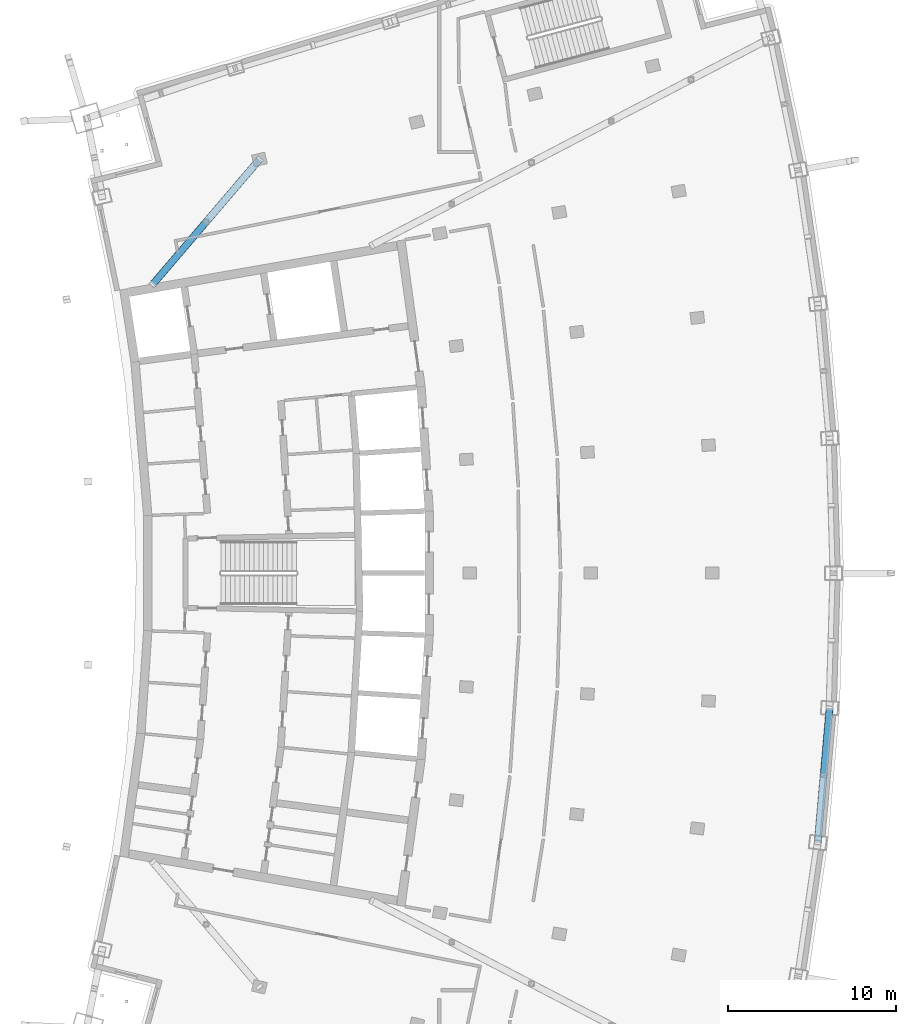
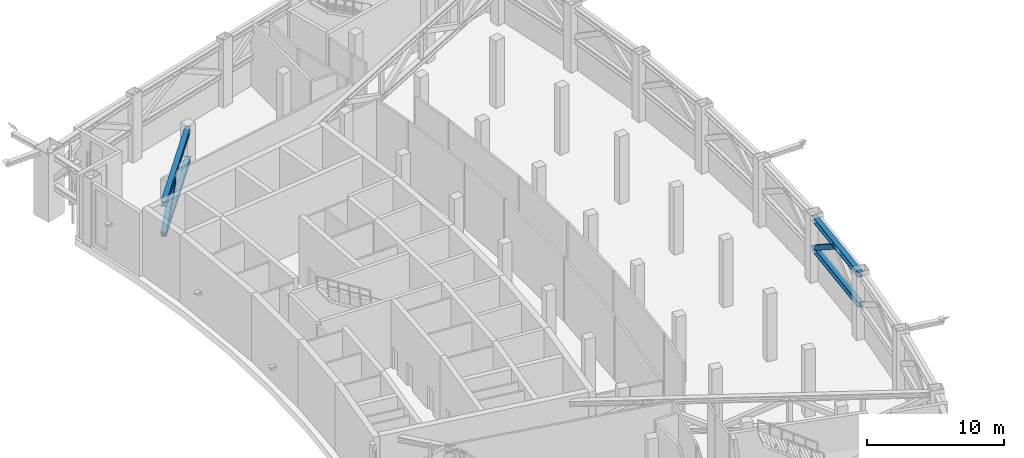
# One storey, part 9 of 23: 6 members.
"""IFC4 building model written with IfcOpenShell, lengths in metres."""

import ifcopenshell
import ifcopenshell.guid

model = None  # the IFC model being written
_history = None  # IfcOwnerHistory: only IFC2X3 demands one
_inside = {}  # id of a spatial element -> (the spatial element, [elements in it])
_under = {}  # id of a project, library or spatial element -> (it, [spatial elements below it])
_declared = {}  # id of a project -> (the project, [libraries it declares])
_typed = {}  # id of a type object -> (the type object, [elements of that type])
_made_of = {}  # id of a material, layer set ... -> (it, [elements and type objects made of it])


def new_model(schema):
    """Start an empty IFC model of exactly this schema.

    Asked for "IFC4X3", IfcOpenShell would pick the latest addendum, in which some entities
    have other attributes; the version numbers below select the first issue.
    IFC2X3 requires an IfcOwnerHistory on every rooted entity: one is made here for all.
    """
    global model, _history
    if schema == "IFC4X3":
        model = ifcopenshell.file(schema_version=(4, 3, 0, 0))
    else:
        model = ifcopenshell.file(schema=schema)
    _inside.clear()
    _under.clear()
    _declared.clear()
    _typed.clear()
    _made_of.clear()
    _history = None
    if model.schema == "IFC2X3":
        org = make("IfcOrganization", Name="unknown")
        user = make(
            "IfcPersonAndOrganization",
            ThePerson=make("IfcPerson", FamilyName="unknown"),
            TheOrganization=org,
        )
        app = make(
            "IfcApplication",
            ApplicationDeveloper=org,
            Version="unknown",
            ApplicationFullName="unknown",
            ApplicationIdentifier="unknown",
        )
        _history = make(
            "IfcOwnerHistory",
            OwningUser=user,
            OwningApplication=app,
            ChangeAction="ADDED",
            CreationDate=0,
        )
    return model


def make(cls, **values):
    """One entity of the class cls with the attributes given. An attribute that is None is left unset."""
    return model.create_entity(
        cls, **{name: value for name, value in values.items() if value is not None}
    )


def rooted(cls, **values):
    """An entity with a GlobalId (a new one), such as an element, a storey or a relation."""
    return make(cls, GlobalId=ifcopenshell.guid.new(), OwnerHistory=_history, **values)


def si_unit(unit_type, name, prefix=None):
    """IfcSIUnit, for example si_unit("LENGTHUNIT", "METRE", prefix="MILLI")."""
    return make("IfcSIUnit", UnitType=unit_type, Prefix=prefix, Name=name)


def assignment(units):
    """IfcUnitAssignment: the units of a project."""
    return None if units is None else make("IfcUnitAssignment", Units=units)


def point(xyz):
    """IfcCartesianPoint."""
    return None if xyz is None else make("IfcCartesianPoint", Coordinates=xyz)


def direction(xyz):
    """IfcDirection."""
    return None if xyz is None else make("IfcDirection", DirectionRatios=xyz)


def frame(location, z_axis=None, x_axis=None):
    """IfcAxis2Placement3D, a coordinate frame: its origin and axes. An axis left out is left unset."""
    return make(
        "IfcAxis2Placement3D",
        Location=point(location),
        Axis=direction(z_axis),
        RefDirection=direction(x_axis),
    )


def frame_2d(location, x_axis=None):
    """IfcAxis2Placement2D, a coordinate frame in the plane: its origin and x axis."""
    return make(
        "IfcAxis2Placement2D", Location=point(location), RefDirection=direction(x_axis)
    )


def origin():
    """The frame at (0, 0, 0) with its axes left unset."""
    return frame((0.0, 0.0, 0.0))


def origin_2d():
    """The frame at (0, 0) in the plane with its x axis left unset."""
    return frame_2d((0.0, 0.0))


def place(relative_to, where):
    """IfcLocalPlacement: puts the frame where relative to a parent placement (None: the world)."""
    return make(
        "IfcLocalPlacement", PlacementRelTo=relative_to, RelativePlacement=where
    )


def context(
    kind, dimensions, precision=None, world=None, true_north=None, identifier=None
):
    """IfcGeometricRepresentationContext, for example the 3D "Model" context."""
    return make(
        "IfcGeometricRepresentationContext",
        ContextIdentifier=identifier,
        ContextType=kind,
        CoordinateSpaceDimension=dimensions,
        Precision=precision,
        WorldCoordinateSystem=world,
        TrueNorth=true_north,
    )


def subcontext(parent, identifier, kind, view, scale=None):
    """IfcGeometricRepresentationSubContext, for example "Body" below "Model"."""
    return make(
        "IfcGeometricRepresentationSubContext",
        ContextIdentifier=identifier,
        ContextType=kind,
        ParentContext=parent,
        TargetScale=scale,
        TargetView=view,
    )


def project(units=None, contexts=None):
    """IfcProject with its units and contexts."""
    return rooted(
        "IfcProject",
        Name="project",
        RepresentationContexts=contexts,
        UnitsInContext=assignment(units),
    )


def spatial(cls, under=None, at=None, **own):
    """A site, building, storey or space (cls), placed at a placement, below another one or the project."""
    s = rooted(cls, ObjectPlacement=at, **own)
    if under is not None:
        _under.setdefault(under.id(), (under, []))[1].append(s)
    return s


def profile(cls, at=None, kind="AREA", **sizes):
    """A parametric profile (cls). Its sizes go by their IFC names, for example OverallWidth=200.0."""
    return make(cls, ProfileType=kind, Position=at, **sizes)


def hollow_rectangle(**sizes):
    """IfcRectangleHollowProfileDef."""
    return profile("IfcRectangleHollowProfileDef", **sizes)


def i_section(**sizes):
    """IfcIShapeProfileDef."""
    return profile("IfcIShapeProfileDef", **sizes)


def extrude(swept, where, along, depth):
    """IfcExtrudedAreaSolid: the profile swept, set in the frame where, extruded along a direction by depth."""
    return make(
        "IfcExtrudedAreaSolid",
        SweptArea=swept,
        Position=where,
        ExtrudedDirection=direction(along),
        Depth=depth,
    )


def shape(context_of_items, identifier, shape_type, items):
    """IfcShapeRepresentation: the items that make up one representation, for example the "Body"."""
    return make(
        "IfcShapeRepresentation",
        ContextOfItems=context_of_items,
        RepresentationIdentifier=identifier,
        RepresentationType=shape_type,
        Items=items,
    )


def material(Name=None, Category=None):
    """IfcMaterial."""
    return make("IfcMaterial", Name=Name, Category=Category)


def material_profile(
    of_material, cross_section, Name=None, Category=None, Priority=None
):
    """IfcMaterialProfile: a cross section and its material."""
    return make(
        "IfcMaterialProfile",
        Name=Name,
        Material=of_material,
        Profile=cross_section,
        Priority=Priority,
        Category=Category,
    )


def profile_set(profiles, Name=None, composite=None):
    """IfcMaterialProfileSet."""
    return make(
        "IfcMaterialProfileSet",
        Name=Name,
        MaterialProfiles=profiles,
        CompositeProfile=composite,
    )


def made_of(thing, what):
    """Note that an element or type object is made of a material, layer set ...; save() writes the relation."""
    if what is not None:
        _made_of.setdefault(what.id(), (what, []))[1].append(thing)
    return thing


def type_object(cls, material=None, **own):
    """A type object (cls), such as IfcWallType, which elements share."""
    return made_of(rooted(cls, **own), material)


def element(
    cls,
    number,
    at=None,
    inside=None,
    cuts=None,
    type_object=None,
    material=None,
    context=None,
    identifier="Body",
    shape_type=None,
    held_by="IfcProductDefinitionShape",
    body=None,
    shapes=None,
    **own,
):
    """One element of the class cls, such as IfcWall. Its Tag is "e" and its number.

    at: its placement. inside: the storey or other place that contains it. cuts: it is an
    opening in that element (IfcRelVoidsElement). A single representation is given by context,
    identifier, shape_type and body (its items); several are given by shapes. held_by: the class
    of the entity that holds the representations. save() writes the other relations.
    """
    e = rooted(cls, Tag="e%d" % number, ObjectPlacement=at, **own)
    if body is not None:
        shapes = [shape(context, identifier, shape_type, body)]
    if shapes is not None:
        e.Representation = make(held_by, Representations=shapes)
    if inside is not None:
        _inside.setdefault(inside.id(), (inside, []))[1].append(e)
    if cuts is not None:
        rooted(
            "IfcRelVoidsElement", RelatingBuildingElement=cuts, RelatedOpeningElement=e
        )
    if type_object is not None:
        _typed.setdefault(type_object.id(), (type_object, []))[1].append(e)
    return made_of(e, material)


def aggregate(whole, parts):
    """IfcRelAggregates: a whole, such as a stair, and the parts it consists of."""
    return rooted("IfcRelAggregates", RelatingObject=whole, RelatedObjects=parts)


def save(model, path):
    """Write the relations noted so far, then the file.

    IfcRelAggregates (storeys below a building ...), IfcRelContainedInSpatialStructure (elements
    in a storey), IfcRelDefinesByType, IfcRelAssociatesMaterial and IfcRelDeclares: one each for
    every whole, place, type object, material and project.
    """
    for whole, parts in _under.values():
        aggregate(whole, parts)
    for where, things in _inside.values():
        rooted(
            "IfcRelContainedInSpatialStructure",
            RelatedElements=things,
            RelatingStructure=where,
        )
    for kind, things in _typed.values():
        rooted("IfcRelDefinesByType", RelatedObjects=things, RelatingType=kind)
    for what, things in _made_of.values():
        rooted("IfcRelAssociatesMaterial", RelatedObjects=things, RelatingMaterial=what)
    for by, libraries in _declared.values():
        rooted("IfcRelDeclares", RelatingContext=by, RelatedDefinitions=libraries)
    model.write(path)


model = new_model("IFC4")

# Units and contexts
model_context = context("Model", 3, precision=1e-05, world=origin(), true_north=direction((0.0, 1.0)))
body_context = subcontext(model_context, "Body", "Model", "MODEL_VIEW")
ifc_project = project(units=[si_unit("LENGTHUNIT", "METRE"), si_unit("AREAUNIT", "SQUARE_METRE"), si_unit("VOLUMEUNIT", "CUBIC_METRE"), si_unit("PLANEANGLEUNIT", "RADIAN"), si_unit("MASSUNIT", "GRAM", prefix="KILO")], contexts=[model_context])

# Site, building, storey
site_placement = place(None, origin())
site = spatial("IfcSite", under=ifc_project, at=site_placement, CompositionType="ELEMENT")
building_placement = place(site_placement, origin())
building = spatial("IfcBuilding", under=site, at=building_placement, Name="Alderwake Tower", CompositionType="ELEMENT")
storey_placement = place(building_placement, frame((0.0, 0.0, 239.60009765625)))
storey = spatial("IfcBuildingStorey", under=building, at=storey_placement, Name="L59", CompositionType="ELEMENT", Elevation=239.60009765625)

# Members
ifc_material_1 = material(Name="Steel ASTM A992 Grade 50", Category="steel")
ifc_material_profile_1 = material_profile(ifc_material_1, i_section(OverallWidth=0.42138671875, OverallDepth=0.464599609375, WebThickness=0.044921875, FlangeThickness=0.072265625, at=origin_2d()), Name="W14X398")
ifc_profile_set_1 = profile_set([ifc_material_profile_1], Name="Steel ASTM A992 Grade 50")
member_type_1 = type_object("IfcMemberType", Name="Belt truss chord W14X398", PredefinedType="CHORD", material=ifc_profile_set_1)
for number, where, z_axis, x_axis, name in (
    (1, (56.466064453125, 45.00634765625, 5.447509765625), (0.087373670247, 0.996175607886, 0.0), (-0.996175607886, 0.087373670247, 0.0), "Belt truss chord BT59F05.T"),
    (2, (56.466064453125, 45.00634765625, 2.7822265625), (0.087373670247, 0.996175607886, 0.0), (-0.996175607886, 0.087373670247, 0.0), "Belt truss chord BT59F05.B"),
):
    element("IfcMember", number, at=place(storey_placement, frame(where, z_axis=z_axis, x_axis=x_axis)), inside=storey, type_object=member_type_1, Name=name, PredefinedType="CHORD", context=body_context, shape_type="SweptSolid", body=[
        extrude(i_section(OverallWidth=0.42138671875, OverallDepth=0.464599609375, WebThickness=0.044921875, FlangeThickness=0.072265625, at=origin_2d()), origin(), (0.0, 0.0, 1.0), 8.013916015625),
    ])
ifc_material_2 = material(Name="Steel ASTM A500 Grade C", Category="steel")
ifc_material_profile_2 = material_profile(ifc_material_2, hollow_rectangle(XDim=0.406494140625, YDim=0.406494140625, WallThickness=0.014892578125, at=origin_2d()), Name="HSS16X16X5/8")
ifc_profile_set_2 = profile_set([ifc_material_profile_2], Name="Steel ASTM A500 Grade C")
member_type_2 = type_object("IfcMemberType", Name="Belt truss diagonal HSS16X16X5/8", PredefinedType="BRACE", material=ifc_profile_set_2)
member_1_placement = place(storey_placement, frame((57.166259765625, 52.989501953125, 2.7822265625), z_axis=(-0.072747864399, -0.829447407892, 0.553827360976), x_axis=(0.99617584045, -0.087371018667, 0.0)))
element("IfcMember", 3, at=member_1_placement, inside=storey, type_object=member_type_2, Name="Belt truss diagonal BT59F05.D2", PredefinedType="BRACE", context=body_context, shape_type="SweptSolid", body=[
    extrude(hollow_rectangle(XDim=0.406494140625, YDim=0.406494140625, WallThickness=0.014892578125, at=origin_2d()), origin(), (0.0, 0.0, 1.0), 4.8125),
])
ifc_material_3 = material(Name="Steel ASTM A992 Grade 50", Category="steel")
ifc_material_profile_3 = material_profile(ifc_material_3, i_section(OverallWidth=0.42138671875, OverallDepth=0.464599609375, WebThickness=0.044921875, FlangeThickness=0.072265625, at=origin_2d()), Name="W14X398")
ifc_profile_set_3 = profile_set([ifc_material_profile_3], Name="Steel ASTM A992 Grade 50")
member_type_3 = type_object("IfcMemberType", Name="Outrigger truss chord W14X398", PredefinedType="CHORD", material=ifc_profile_set_3)
for number, where, z_axis, x_axis, name in (
    (4, (16.99560546875, 78.149658203125, 5.447509765625), (0.649500341589, 0.760361299828, 0.0), (-0.760361299828, 0.649500341589, 0.0), "Outrigger truss chord OR59NR.T"),
    (5, (16.99560546875, 78.149658203125, 2.7822265625), (0.649500341589, 0.760361299828, 0.0), (-0.760361299828, 0.649500341589, 0.0), "Outrigger truss chord OR59NR.B"),
):
    element("IfcMember", number, at=place(storey_placement, frame(where, z_axis=z_axis, x_axis=x_axis)), inside=storey, type_object=member_type_3, Name=name, PredefinedType="CHORD", context=body_context, shape_type="SweptSolid", body=[
        extrude(i_section(OverallWidth=0.42138671875, OverallDepth=0.464599609375, WebThickness=0.044921875, FlangeThickness=0.072265625, at=origin_2d()), origin(), (0.0, 0.0, 1.0), 9.740478515625),
    ])
ifc_material_4 = material(Name="Steel ASTM A500 Grade C", Category="steel")
ifc_material_profile_4 = material_profile(ifc_material_4, hollow_rectangle(XDim=0.406494140625, YDim=0.406494140625, WallThickness=0.014892578125, at=origin_2d()), Name="HSS16X16X5/8")
ifc_profile_set_4 = profile_set([ifc_material_profile_4], Name="Steel ASTM A500 Grade C")
member_type_4 = type_object("IfcMemberType", Name="Outrigger truss diagonal HSS16X16X5/8", PredefinedType="BRACE", material=ifc_profile_set_4)
member_2_placement = place(storey_placement, frame((16.99560546875, 78.149658203125, 2.7822265625), z_axis=(0.569745246376, 0.667018825025, 0.480079411445), x_axis=(-0.760373678193, 0.649485850124, 0.0)))
element("IfcMember", 6, at=member_2_placement, inside=storey, type_object=member_type_4, Name="Outrigger truss diagonal OR59NR.D1", PredefinedType="BRACE", context=body_context, shape_type="SweptSolid", body=[
    extrude(hollow_rectangle(XDim=0.406494140625, YDim=0.406494140625, WallThickness=0.014892578125, at=origin_2d()), origin(), (0.0, 0.0, 1.0), 5.5517578125),
])

save(model, "model.ifc")
